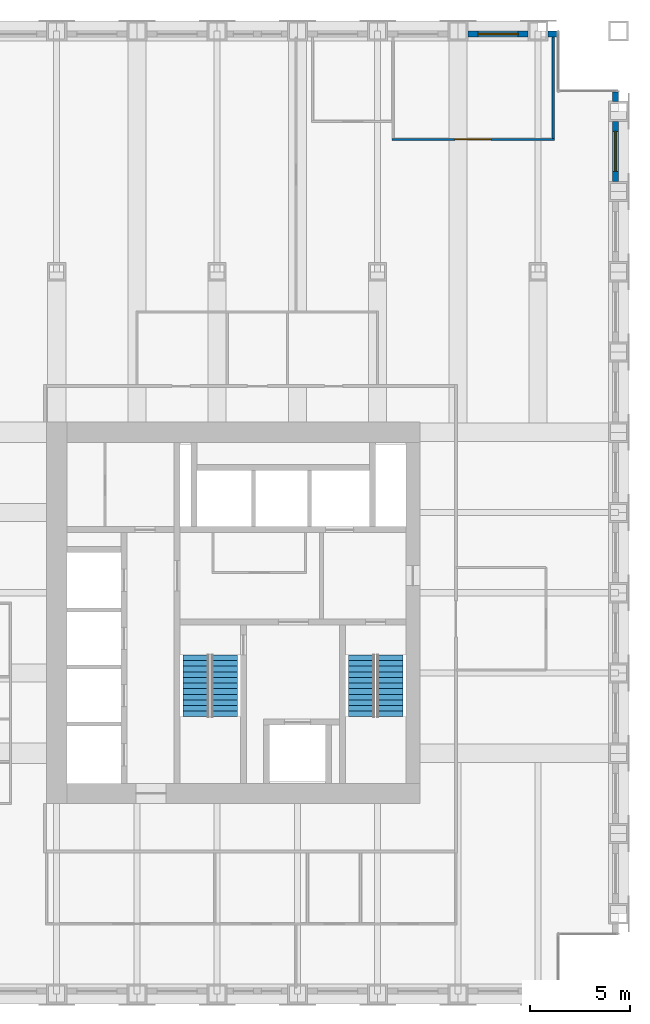
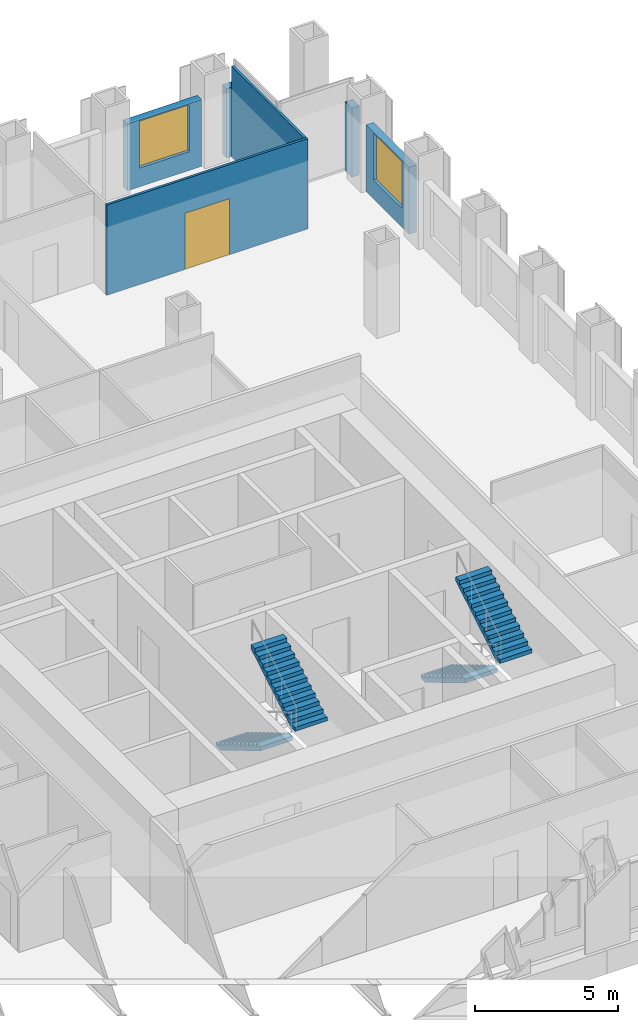
# One storey, part 12 of 13: 6 walls, 4 stair flights, 2 windows, 1 door, 3 openings, 2 elements without a shape of their own.
"""IFC4 building model written with IfcOpenShell, lengths in metres."""

from ifc_helpers import new_model, si_unit, direction, frame, frame_2d, origin, place, context, subcontext, project, spatial, polyline, rectangle, outline, extrude, material, layer, layer_set, type_object, element, fill, aggregate, save


model = new_model("IFC4")

# Units and contexts
model_context = context("Model", 3, precision=1e-05, world=origin(), true_north=direction((0.0, 1.0)))
body_context = subcontext(model_context, "Body", "Model", "MODEL_VIEW")
ifc_project = project(units=[si_unit("LENGTHUNIT", "METRE"), si_unit("AREAUNIT", "SQUARE_METRE"), si_unit("VOLUMEUNIT", "CUBIC_METRE"), si_unit("PLANEANGLEUNIT", "RADIAN"), si_unit("MASSUNIT", "GRAM", prefix="KILO")], contexts=[model_context])

# Site, building, storey
site_placement = place(None, origin())
site = spatial("IfcSite", under=ifc_project, at=site_placement, CompositionType="ELEMENT")
building_placement = place(site_placement, origin())
building = spatial("IfcBuilding", under=site, at=building_placement, Name="Rimbunsela Tower", CompositionType="ELEMENT")
storey_placement = place(building_placement, frame((0.0, 0.0, 195.800048828125)))
storey = spatial("IfcBuildingStorey", under=building, at=storey_placement, Name="L47", CompositionType="ELEMENT", Elevation=195.800048828125)

# Wall, opening, door
ifc_material_1 = material(Name="Gypsum board on steel studs", Category="steel")
ifc_layer_1 = layer(ifc_material_1, 0.10009765625)
ifc_layer_set_1 = layer_set([ifc_layer_1], Name="Office partition 100")
wall_type_1 = type_object("IfcWallType", Name="Office partition 100", PredefinedType="PARTITIONING", material=ifc_layer_set_1)
wall_1_placement = place(storey_placement, frame((34.699951171875, 50.60009765625, 0.0), z_axis=(0.0, 0.0, 1.0), x_axis=(1.0, 0.0, 0.0)))
wall_1 = element("IfcWall", 1, at=wall_1_placement, inside=storey, type_object=wall_type_1, Name="Office partition", PredefinedType="PARTITIONING", context=body_context, shape_type="SweptSolid", body=[
    extrude(rectangle(XDim=8.10009765625, YDim=0.10009765625, at=frame_2d((4.050048828125, 0.0))), origin(), (0.0, 0.0, 1.0), 3.849853515625),
])
opening_1_placement = place(wall_1_placement, frame((3.14990234375, 0.0, 0.0)))
opening_1 = element("IfcOpeningElement", 2, at=opening_1_placement, cuts=wall_1, Name="Opening D18", PredefinedType="OPENING", context=body_context, shape_type="SweptSolid", body=[
    extrude(rectangle(XDim=1.800048828125, YDim=2.39990234375, at=frame_2d((0.89990234375, 1.199951171875))), frame((0.0, 0.06005859375, 0.0), z_axis=(0.0, -1.0, 0.0), x_axis=(1.0, 0.0, 0.0)), (0.0, 0.0, 1.0), 0.1201171875),
])
ifc_material_2 = material(Name="Glazed aluminium door", Category="aluminium")
door_type = type_object("IfcDoorType", Name="Boardroom door 1800 glazed", OperationType="DOUBLE_DOOR_DOUBLE_SWING", PredefinedType="DOOR", material=ifc_material_2)
door_placement = place(opening_1_placement, origin())
door = element("IfcDoor", 3, at=door_placement, inside=storey, type_object=door_type, Name="Boardroom door", OperationType="DOUBLE_DOOR_DOUBLE_SWING", OverallHeight=2.39990234375, OverallWidth=1.800048828125, PredefinedType="DOOR", context=body_context, shape_type="SweptSolid", body=[
    extrude(rectangle(XDim=1.800048828125, YDim=2.39990234375, at=frame_2d((0.89990234375, 1.199951171875))), frame((0.0, 0.02490234375, 0.0), z_axis=(0.0, -1.0, 0.0), x_axis=(1.0, 0.0, 0.0)), (0.0, 0.0, 1.0), 0.050048828125),
])
fill(opening_1, door)

# Wall
wall_2_placement = place(storey_placement, frame((42.75, 50.64990234375, 0.0), z_axis=(0.0, 0.0, 1.0), x_axis=(0.0, 1.0, 0.0)))
element("IfcWall", 4, at=wall_2_placement, inside=storey, type_object=wall_type_1, Name="Office partition", PredefinedType="PARTITIONING", context=body_context, shape_type="SweptSolid", body=[
    extrude(rectangle(XDim=5.050048828125, YDim=0.10009765625, at=frame_2d((2.52490234375, 0.0))), origin(), (0.0, 0.0, 1.0), 3.849853515625),
])

# Wall, opening, window
ifc_material_3 = material(Name="Precast concrete fc' 35 MPa", Category="concrete")
ifc_layer_2 = layer(ifc_material_3, 0.300048828125)
ifc_layer_set_2 = layer_set([ifc_layer_2], Name="Precast concrete fc' 35 MPa")
wall_type_2 = type_object("IfcWallType", Name="Precast facade panel 300", PredefinedType="ELEMENTEDWALL", material=ifc_layer_set_2)
wall_3_placement = place(storey_placement, frame((45.85009765625, 48.5, 0.0), z_axis=(0.0, 0.0, 1.0), x_axis=(0.0, 1.0, 0.0)))
wall_3 = element("IfcWall", 5, at=wall_3_placement, inside=storey, type_object=wall_type_2, Name="Facade panel E L47", PredefinedType="ELEMENTEDWALL", context=body_context, shape_type="SweptSolid", body=[
    extrude(rectangle(XDim=3.0, YDim=0.300048828125, at=frame_2d((1.5, 0.0))), origin(), (0.0, 0.0, 1.0), 2.849853515625),
])
opening_2_placement = place(wall_3_placement, frame((0.5, 0.0, 0.800048828125)))
opening_2 = element("IfcOpeningElement", 6, at=opening_2_placement, cuts=wall_3, Name="Opening W1", PredefinedType="OPENING", context=body_context, shape_type="SweptSolid", body=[
    extrude(rectangle(XDim=2.0, YDim=2.0, at=frame_2d((1.0, 1.0))), frame((0.0, 0.159912109375, 0.0), z_axis=(0.0, -1.0, 0.0), x_axis=(1.0, 0.0, 0.0)), (0.0, 0.0, 1.0), 0.320068359375),
])
ifc_material_4 = material(Name="Clear glass in aluminium frame", Category="aluminium")
window_type = type_object("IfcWindowType", Name="Window W1 2000x2000", PartitioningType="DOUBLE_PANEL_VERTICAL", PredefinedType="WINDOW", material=ifc_material_4)
window_1_placement = place(opening_2_placement, origin())
window_1 = element("IfcWindow", 7, at=window_1_placement, inside=storey, type_object=window_type, Name="Window L47", OverallHeight=2.0, OverallWidth=2.0, PartitioningType="SINGLE_PANEL", PredefinedType="WINDOW", context=body_context, shape_type="SweptSolid", body=[
    extrude(rectangle(XDim=2.0, YDim=2.0, at=frame_2d((1.0, 1.0))), frame((0.0, 0.030029296875, 0.0), z_axis=(0.0, -1.0, 0.0), x_axis=(1.0, 0.0, 0.0)), (0.0, 0.0, 1.0), 0.06005859375),
])
fill(opening_2, window_1)

# Wall
wall_4_placement = place(storey_placement, frame((45.85009765625, 52.5, 0.0), z_axis=(0.0, 0.0, 1.0), x_axis=(0.0, 1.0, 0.0)))
element("IfcWall", 8, at=wall_4_placement, inside=storey, type_object=wall_type_2, Name="Facade panel E L47", PredefinedType="ELEMENTEDWALL", context=body_context, shape_type="SweptSolid", body=[
    extrude(rectangle(XDim=0.469970703125, YDim=0.300048828125, at=frame_2d((0.23486328125, 0.0))), origin(), (0.0, 0.0, 1.0), 2.949951171875),
])

# Wall, opening, window
wall_5_placement = place(storey_placement, frame((41.5, 55.85009765625, 0.0), z_axis=(0.0, 0.0, 1.0), x_axis=(-1.0, 0.0, 0.0)))
wall_5 = element("IfcWall", 9, at=wall_5_placement, inside=storey, type_object=wall_type_2, Name="Facade panel N L47", PredefinedType="ELEMENTEDWALL", context=body_context, shape_type="SweptSolid", body=[
    extrude(rectangle(XDim=3.0, YDim=0.300048828125, at=frame_2d((1.5, 0.0))), origin(), (0.0, 0.0, 1.0), 2.849853515625),
])
opening_3_placement = place(wall_5_placement, frame((0.5, 0.0, 0.800048828125)))
opening_3 = element("IfcOpeningElement", 10, at=opening_3_placement, cuts=wall_5, Name="Opening W1", PredefinedType="OPENING", context=body_context, shape_type="SweptSolid", body=[
    extrude(rectangle(XDim=2.0, YDim=2.0, at=frame_2d((1.0, 1.0))), frame((0.0, 0.159912109375, 0.0), z_axis=(0.0, -1.0, 0.0), x_axis=(1.0, 0.0, 0.0)), (0.0, 0.0, 1.0), 0.320068359375),
])
window_2_placement = place(opening_3_placement, origin())
window_2 = element("IfcWindow", 11, at=window_2_placement, inside=storey, type_object=window_type, Name="Window L47", OverallHeight=2.0, OverallWidth=2.0, PartitioningType="SINGLE_PANEL", PredefinedType="WINDOW", context=body_context, shape_type="SweptSolid", body=[
    extrude(rectangle(XDim=2.0, YDim=2.0, at=frame_2d((1.0, 1.0))), frame((0.0, 0.030029296875, 0.0), z_axis=(0.0, -1.0, 0.0), x_axis=(1.0, 0.0, 0.0)), (0.0, 0.0, 1.0), 0.06005859375),
])
fill(opening_3, window_2)

# Wall
wall_6_placement = place(storey_placement, frame((42.969970703125, 55.85009765625, 0.0), z_axis=(0.0, 0.0, 1.0), x_axis=(-1.0, 0.0, 0.0)))
element("IfcWall", 12, at=wall_6_placement, inside=storey, type_object=wall_type_2, Name="Facade panel N L47", PredefinedType="ELEMENTEDWALL", context=body_context, shape_type="SweptSolid", body=[
    extrude(rectangle(XDim=0.469970703125, YDim=0.300048828125, at=frame_2d((0.23486328125, 0.0))), origin(), (0.0, 0.0, 1.0), 2.949951171875),
])

# Stair, stair flights
ifc_material_5 = material(Name="Concrete fc' 35 MPa", Category="concrete")
stair_type = type_object("IfcStairType", Name="Exit stair 24 risers", PredefinedType="HALF_TURN_STAIR", material=ifc_material_5)
stair_1_placement = place(storey_placement, origin())
stair_1 = element("IfcStair", 13, at=stair_1_placement, inside=storey, type_object=stair_type, Name="Exit stair A L47", PredefinedType="HALF_TURN_STAIR")
ifc_material_6 = material(Name="Concrete fc' 35 MPa", Category="concrete")
stair_flight_type = type_object("IfcStairFlightType", Name="Stair flight 12 risers 167", PredefinedType="STRAIGHT", material=ifc_material_6)
stair_flight_1_placement = place(storey_placement, frame((24.949951171875, 24.89990234375, 0.0), z_axis=(0.0, 0.0, 1.0), x_axis=(0.0, -1.0, 0.0)))
stair_flight_1 = element("IfcStairFlight", 14, at=stair_flight_1_placement, type_object=stair_flight_type, Name="ST-A flight 1", NumberOfRisers=12, NumberOfTreads=11, PredefinedType="STRAIGHT", RiserHeight=0.166666667, TreadLength=0.28, context=body_context, shape_type="SweptSolid", body=[
    extrude(outline(polyline([(0.0, 0.0), (0.0, 0.166748046875), (0.280029296875, 0.166748046875), (0.280029296875, 0.333251953125), (0.56005859375, 0.333251953125), (0.56005859375, 0.5), (0.840087890625, 0.5), (0.840087890625, 0.666748046875), (1.1201171875, 0.666748046875), (1.1201171875, 0.833251953125), (1.39990234375, 0.833251953125), (1.39990234375, 1.0), (1.679931640625, 1.0), (1.679931640625, 1.166748046875), (1.9599609375, 1.166748046875), (1.9599609375, 1.333251953125), (2.239990234375, 1.333251953125), (2.239990234375, 1.5), (2.52001953125, 1.5), (2.52001953125, 1.666748046875), (2.800048828125, 1.666748046875), (2.800048828125, 1.833251953125), (3.080078125, 1.833251953125), (3.080078125, 2.0), (3.080078125, 1.658935546875), (0.29296875, 0.0), (0.0, 0.0)])), frame((0.0, 0.64990234375, 0.0), z_axis=(0.0, -1.0, 0.0), x_axis=(1.0, 0.0, 0.0)), (0.0, 0.0, 1.0), 1.300048828125),
])
stair_flight_2_placement = place(storey_placement, frame((26.35009765625, 21.820068359375, 2.0), z_axis=(0.0, 0.0, 1.0), x_axis=(0.0, 1.0, 0.0)))
stair_flight_2 = element("IfcStairFlight", 15, at=stair_flight_2_placement, type_object=stair_flight_type, Name="ST-A flight 2", NumberOfRisers=12, NumberOfTreads=11, PredefinedType="STRAIGHT", RiserHeight=0.166666667, TreadLength=0.28, context=body_context, shape_type="SweptSolid", body=[
    extrude(outline(polyline([(0.0, 0.0), (0.0, 0.166748046875), (0.280029296875, 0.166748046875), (0.280029296875, 0.333251953125), (0.56005859375, 0.333251953125), (0.56005859375, 0.5), (0.840087890625, 0.5), (0.840087890625, 0.666748046875), (1.1201171875, 0.666748046875), (1.1201171875, 0.833251953125), (1.39990234375, 0.833251953125), (1.39990234375, 1.0), (1.679931640625, 1.0), (1.679931640625, 1.166748046875), (1.9599609375, 1.166748046875), (1.9599609375, 1.333251953125), (2.239990234375, 1.333251953125), (2.239990234375, 1.5), (2.52001953125, 1.5), (2.52001953125, 1.666748046875), (2.800048828125, 1.666748046875), (2.800048828125, 1.833251953125), (3.080078125, 1.833251953125), (3.080078125, 2.0), (3.080078125, 1.658935546875), (0.29296875, 0.0), (0.0, 0.0)])), frame((0.0, 0.64990234375, 0.0), z_axis=(0.0, -1.0, 0.0), x_axis=(1.0, 0.0, 0.0)), (0.0, 0.0, 1.0), 1.300048828125),
])
aggregate(stair_1, [stair_flight_1, stair_flight_2])

stair_2_placement = place(storey_placement, origin())
stair_2 = element("IfcStair", 16, at=stair_2_placement, inside=storey, type_object=stair_type, Name="Exit stair B L47", PredefinedType="HALF_TURN_STAIR")
stair_flight_3_placement = place(storey_placement, frame((33.199951171875, 24.89990234375, 0.0), z_axis=(0.0, 0.0, 1.0), x_axis=(0.0, -1.0, 0.0)))
stair_flight_3 = element("IfcStairFlight", 17, at=stair_flight_3_placement, type_object=stair_flight_type, Name="ST-B flight 1", NumberOfRisers=12, NumberOfTreads=11, PredefinedType="STRAIGHT", RiserHeight=0.166666667, TreadLength=0.28, context=body_context, shape_type="SweptSolid", body=[
    extrude(outline(polyline([(0.0, 0.0), (0.0, 0.166748046875), (0.280029296875, 0.166748046875), (0.280029296875, 0.333251953125), (0.56005859375, 0.333251953125), (0.56005859375, 0.5), (0.840087890625, 0.5), (0.840087890625, 0.666748046875), (1.1201171875, 0.666748046875), (1.1201171875, 0.833251953125), (1.39990234375, 0.833251953125), (1.39990234375, 1.0), (1.679931640625, 1.0), (1.679931640625, 1.166748046875), (1.9599609375, 1.166748046875), (1.9599609375, 1.333251953125), (2.239990234375, 1.333251953125), (2.239990234375, 1.5), (2.52001953125, 1.5), (2.52001953125, 1.666748046875), (2.800048828125, 1.666748046875), (2.800048828125, 1.833251953125), (3.080078125, 1.833251953125), (3.080078125, 2.0), (3.080078125, 1.658935546875), (0.29296875, 0.0), (0.0, 0.0)])), frame((0.0, 0.64990234375, 0.0), z_axis=(0.0, -1.0, 0.0), x_axis=(1.0, 0.0, 0.0)), (0.0, 0.0, 1.0), 1.300048828125),
])
stair_flight_4_placement = place(storey_placement, frame((34.60009765625, 21.820068359375, 2.0), z_axis=(0.0, 0.0, 1.0), x_axis=(0.0, 1.0, 0.0)))
stair_flight_4 = element("IfcStairFlight", 18, at=stair_flight_4_placement, type_object=stair_flight_type, Name="ST-B flight 2", NumberOfRisers=12, NumberOfTreads=11, PredefinedType="STRAIGHT", RiserHeight=0.166666667, TreadLength=0.28, context=body_context, shape_type="SweptSolid", body=[
    extrude(outline(polyline([(0.0, 0.0), (0.0, 0.166748046875), (0.280029296875, 0.166748046875), (0.280029296875, 0.333251953125), (0.56005859375, 0.333251953125), (0.56005859375, 0.5), (0.840087890625, 0.5), (0.840087890625, 0.666748046875), (1.1201171875, 0.666748046875), (1.1201171875, 0.833251953125), (1.39990234375, 0.833251953125), (1.39990234375, 1.0), (1.679931640625, 1.0), (1.679931640625, 1.166748046875), (1.9599609375, 1.166748046875), (1.9599609375, 1.333251953125), (2.239990234375, 1.333251953125), (2.239990234375, 1.5), (2.52001953125, 1.5), (2.52001953125, 1.666748046875), (2.800048828125, 1.666748046875), (2.800048828125, 1.833251953125), (3.080078125, 1.833251953125), (3.080078125, 2.0), (3.080078125, 1.658935546875), (0.29296875, 0.0), (0.0, 0.0)])), frame((0.0, 0.64990234375, 0.0), z_axis=(0.0, -1.0, 0.0), x_axis=(1.0, 0.0, 0.0)), (0.0, 0.0, 1.0), 1.300048828125),
])
aggregate(stair_2, [stair_flight_3, stair_flight_4])

save(model, "model.ifc")
